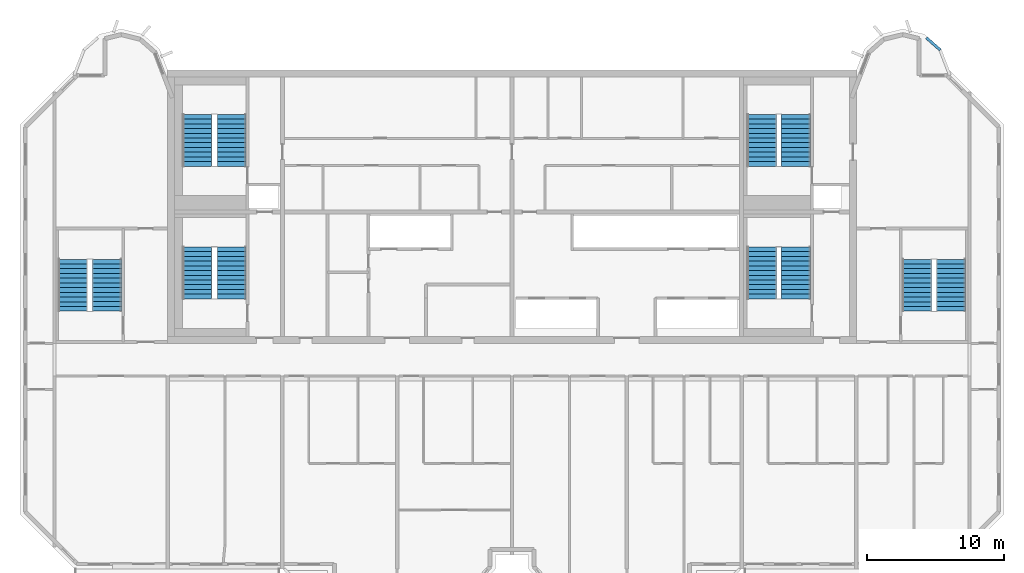
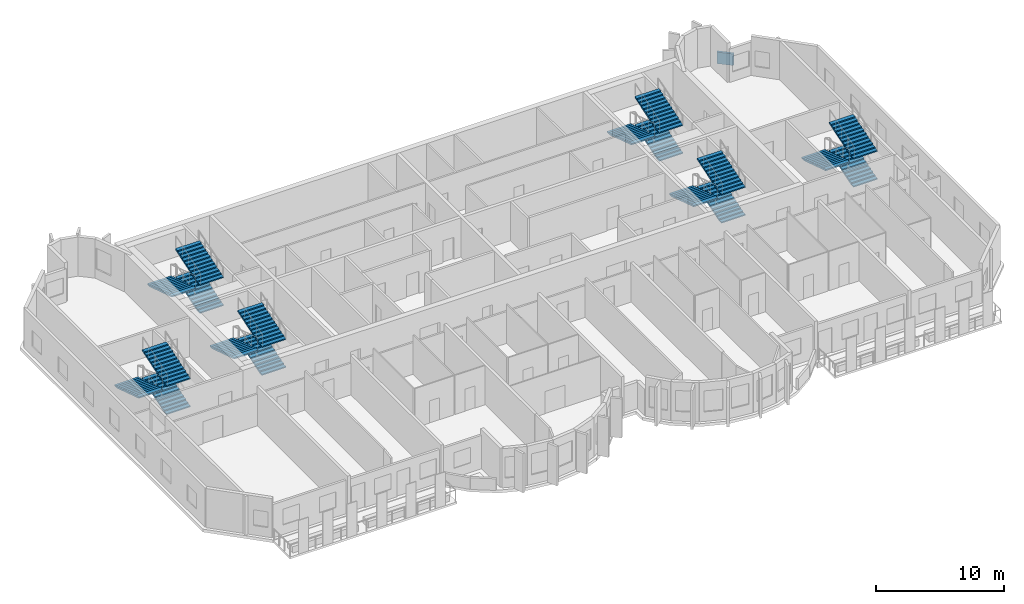
# One storey, part 9 of 12: 18 stair flights, 1 wall, 6 elements without a shape of their own.
"""IFC4 building model written with IfcOpenShell, lengths in metres."""

from ifc_helpers import new_model, si_unit, direction, frame, frame_2d, origin, place, context, subcontext, project, spatial, polyline, rectangle, outline, extrude, source, transform, mapped, material, layer, layer_set, type_object, element, aggregate, save


model = new_model("IFC4")

# Units and contexts
model_context = context("Model", 3, precision=1e-05, world=origin(), true_north=direction((0.0, 1.0)))
body_context = subcontext(model_context, "Body", "Model", "MODEL_VIEW")
ifc_project = project(units=[si_unit("LENGTHUNIT", "METRE"), si_unit("AREAUNIT", "SQUARE_METRE"), si_unit("VOLUMEUNIT", "CUBIC_METRE"), si_unit("PLANEANGLEUNIT", "RADIAN"), si_unit("MASSUNIT", "GRAM", prefix="KILO")], contexts=[model_context])

# Site, building, storey
site_placement = place(None, origin())
site = spatial("IfcSite", under=ifc_project, at=site_placement, CompositionType="ELEMENT")
building_placement = place(site_placement, origin())
building = spatial("IfcBuilding", under=site, at=building_placement, Name="Vanashikhar Sky Hotel", CompositionType="ELEMENT")
storey_placement = place(building_placement, frame((0.0, 0.0, 313.699951171875)))
storey = spatial("IfcBuildingStorey", under=building, at=storey_placement, Name="L75", CompositionType="ELEMENT", Elevation=313.699951171875)

# Wall
ifc_material_1 = material(Name="Concrete M50", Category="concrete")
ifc_layer = layer(ifc_material_1, 0.199951171875)
ifc_layer_set = layer_set([ifc_layer], Name="Parapet 200")
wall_type = type_object("IfcWallType", Name="Parapet 200", PredefinedType="PARAPET", material=ifc_layer_set)
shared_shape_1 = source(origin(), body_context, "Body", "SweptSolid", [
    extrude(rectangle(XDim=1.334716796875, YDim=0.199951171875, at=frame_2d((0.66748046875, 0.0))), origin(), (0.0, 0.0, 1.0), 1.10009765625),
])
wall_placement = place(storey_placement, frame((80.72802734375, 44.3505859375, -0.050048828125), z_axis=(0.0, 0.0, 1.0), x_axis=(0.749645640847, -0.661839416444, 0.0)))
element("IfcWall", 1, at=wall_placement, inside=storey, type_object=wall_type, Name="Roof parapet", PredefinedType="PARAPET", context=body_context, shape_type="MappedRepresentation", body=[
    mapped(shared_shape_1, transform((0.0, 0.0, 0.0), scale=1.0)),
])

# Stair, stair flights
ifc_material_2 = material(Name="Concrete M40", Category="concrete")
stair_type = type_object("IfcStairType", Name="Exit stair 2150", PredefinedType="DOUBLE_RETURN_STAIR", material=ifc_material_2)
stair_1_placement = place(storey_placement, origin())
stair_1 = element("IfcStair", 2, at=stair_1_placement, inside=storey, type_object=stair_type, Name="L75 Exit stair 1", PredefinedType="DOUBLE_RETURN_STAIR")
stair_flight_type = type_object("IfcStairFlightType", Name="Stair flight 2150", PredefinedType="STRAIGHT", material=ifc_material_2)
shared_shape_2 = source(origin(), body_context, "Body", "SweptSolid", [
    extrude(outline(polyline([(0.0, 0.0), (0.0, 0.111083984375), (0.345458984375, 0.111083984375), (0.345458984375, 0.22216796875), (0.69091796875, 0.22216796875), (0.69091796875, 0.333251953125), (1.036376953125, 0.333251953125), (1.036376953125, 0.4443359375), (1.3818359375, 0.4443359375), (1.3818359375, 0.5556640625), (1.727294921875, 0.5556640625), (1.727294921875, 0.666748046875), (2.07275390625, 0.666748046875), (2.07275390625, 0.77783203125), (2.418212890625, 0.77783203125), (2.418212890625, 0.888916015625), (2.763671875, 0.888916015625), (2.763671875, 1.0), (3.109130859375, 1.0), (3.109130859375, 1.111083984375), (3.45458984375, 1.111083984375), (3.45458984375, 1.22216796875), (3.800048828125, 1.22216796875), (3.800048828125, 1.333251953125), (3.800048828125, 1.095947265625), (0.392333984375, 0.0), (0.0, 0.0)])), frame((0.0, 1.074951171875, 0.0), z_axis=(0.0, -1.0, 0.0), x_axis=(1.0, 0.0, 0.0)), (0.0, 0.0, 1.0), 2.14990234375),
])
stair_flight_1_placement = place(storey_placement, frame((29.875, 25.25, 0.0), z_axis=(0.0, 0.0, 1.0), x_axis=(0.0, 1.0, 0.0)))
stair_flight_1 = element("IfcStairFlight", 3, at=stair_flight_1_placement, type_object=stair_flight_type, Name="ST-C1 flight 1", NumberOfRisers=12, NumberOfTreads=11, PredefinedType="STRAIGHT", RiserHeight=0.111111111, TreadLength=0.345454545, context=body_context, shape_type="MappedRepresentation", body=[
    mapped(shared_shape_2, transform((0.0, 0.0, 0.0), scale=1.0)),
])
stair_flight_2_placement = place(storey_placement, frame((27.375, 29.050048828125, 1.33349609375), z_axis=(0.0, 0.0, 1.0), x_axis=(0.0, -1.0, 0.0)))
stair_flight_2 = element("IfcStairFlight", 4, at=stair_flight_2_placement, type_object=stair_flight_type, Name="ST-C1 flight 2", NumberOfRisers=12, NumberOfTreads=11, PredefinedType="STRAIGHT", RiserHeight=0.111111111, TreadLength=0.345454545, context=body_context, shape_type="MappedRepresentation", body=[
    mapped(shared_shape_2, transform((0.0, 0.0, 0.0), scale=1.0)),
])
stair_flight_3_placement = place(storey_placement, frame((29.875, 25.25, 2.666748046875), z_axis=(0.0, 0.0, 1.0), x_axis=(0.0, 1.0, 0.0)))
stair_flight_3 = element("IfcStairFlight", 5, at=stair_flight_3_placement, type_object=stair_flight_type, Name="ST-C1 flight 3", NumberOfRisers=12, NumberOfTreads=11, PredefinedType="STRAIGHT", RiserHeight=0.111111111, TreadLength=0.345454545, context=body_context, shape_type="MappedRepresentation", body=[
    mapped(shared_shape_2, transform((0.0, 0.0, 0.0), scale=1.0)),
])
aggregate(stair_1, [stair_flight_1, stair_flight_2, stair_flight_3])

stair_2_placement = place(storey_placement, origin())
stair_2 = element("IfcStair", 6, at=stair_2_placement, inside=storey, type_object=stair_type, Name="L75 Exit stair 2", PredefinedType="DOUBLE_RETURN_STAIR")
stair_flight_4_placement = place(storey_placement, frame((71.175048828125, 25.25, 0.0), z_axis=(0.0, 0.0, 1.0), x_axis=(0.0, 1.0, 0.0)))
stair_flight_4 = element("IfcStairFlight", 7, at=stair_flight_4_placement, type_object=stair_flight_type, Name="ST-C2 flight 1", NumberOfRisers=12, NumberOfTreads=11, PredefinedType="STRAIGHT", RiserHeight=0.111111111, TreadLength=0.345454545, context=body_context, shape_type="MappedRepresentation", body=[
    mapped(shared_shape_2, transform((0.0, 0.0, 0.0), scale=1.0)),
])
stair_flight_5_placement = place(storey_placement, frame((68.675048828125, 29.050048828125, 1.33349609375), z_axis=(0.0, 0.0, 1.0), x_axis=(0.0, -1.0, 0.0)))
stair_flight_5 = element("IfcStairFlight", 8, at=stair_flight_5_placement, type_object=stair_flight_type, Name="ST-C2 flight 2", NumberOfRisers=12, NumberOfTreads=11, PredefinedType="STRAIGHT", RiserHeight=0.111111111, TreadLength=0.345454545, context=body_context, shape_type="MappedRepresentation", body=[
    mapped(shared_shape_2, transform((0.0, 0.0, 0.0), scale=1.0)),
])
stair_flight_6_placement = place(storey_placement, frame((71.175048828125, 25.25, 2.666748046875), z_axis=(0.0, 0.0, 1.0), x_axis=(0.0, 1.0, 0.0)))
stair_flight_6 = element("IfcStairFlight", 9, at=stair_flight_6_placement, type_object=stair_flight_type, Name="ST-C2 flight 3", NumberOfRisers=12, NumberOfTreads=11, PredefinedType="STRAIGHT", RiserHeight=0.111111111, TreadLength=0.345454545, context=body_context, shape_type="MappedRepresentation", body=[
    mapped(shared_shape_2, transform((0.0, 0.0, 0.0), scale=1.0)),
])
aggregate(stair_2, [stair_flight_4, stair_flight_5, stair_flight_6])

stair_3_placement = place(storey_placement, origin())
stair_3 = element("IfcStair", 10, at=stair_3_placement, inside=storey, type_object=stair_type, Name="L75 Exit stair 3", PredefinedType="DOUBLE_RETURN_STAIR")
stair_flight_7_placement = place(storey_placement, frame((20.77490234375, 24.35009765625, 0.0), z_axis=(0.0, 0.0, 1.0), x_axis=(0.0, 1.0, 0.0)))
stair_flight_7 = element("IfcStairFlight", 11, at=stair_flight_7_placement, type_object=stair_flight_type, Name="ST-W flight 1", NumberOfRisers=12, NumberOfTreads=11, PredefinedType="STRAIGHT", RiserHeight=0.111111111, TreadLength=0.345454545, context=body_context, shape_type="MappedRepresentation", body=[
    mapped(shared_shape_2, transform((0.0, 0.0, 0.0), scale=1.0)),
])
stair_flight_8_placement = place(storey_placement, frame((18.27490234375, 28.14990234375, 1.33349609375), z_axis=(0.0, 0.0, 1.0), x_axis=(0.0, -1.0, 0.0)))
stair_flight_8 = element("IfcStairFlight", 12, at=stair_flight_8_placement, type_object=stair_flight_type, Name="ST-W flight 2", NumberOfRisers=12, NumberOfTreads=11, PredefinedType="STRAIGHT", RiserHeight=0.111111111, TreadLength=0.345454545, context=body_context, shape_type="MappedRepresentation", body=[
    mapped(shared_shape_2, transform((0.0, 0.0, 0.0), scale=1.0)),
])
stair_flight_9_placement = place(storey_placement, frame((20.77490234375, 24.35009765625, 2.666748046875), z_axis=(0.0, 0.0, 1.0), x_axis=(0.0, 1.0, 0.0)))
stair_flight_9 = element("IfcStairFlight", 13, at=stair_flight_9_placement, type_object=stair_flight_type, Name="ST-W flight 3", NumberOfRisers=12, NumberOfTreads=11, PredefinedType="STRAIGHT", RiserHeight=0.111111111, TreadLength=0.345454545, context=body_context, shape_type="MappedRepresentation", body=[
    mapped(shared_shape_2, transform((0.0, 0.0, 0.0), scale=1.0)),
])
aggregate(stair_3, [stair_flight_7, stair_flight_8, stair_flight_9])

stair_4_placement = place(storey_placement, origin())
stair_4 = element("IfcStair", 14, at=stair_4_placement, inside=storey, type_object=stair_type, Name="L75 Exit stair 4", PredefinedType="DOUBLE_RETURN_STAIR")
stair_flight_10_placement = place(storey_placement, frame((82.52490234375, 24.35009765625, 0.0), z_axis=(0.0, 0.0, 1.0), x_axis=(0.0, 1.0, 0.0)))
stair_flight_10 = element("IfcStairFlight", 15, at=stair_flight_10_placement, type_object=stair_flight_type, Name="ST-E flight 1", NumberOfRisers=12, NumberOfTreads=11, PredefinedType="STRAIGHT", RiserHeight=0.111111111, TreadLength=0.345454545, context=body_context, shape_type="MappedRepresentation", body=[
    mapped(shared_shape_2, transform((0.0, 0.0, 0.0), scale=1.0)),
])
stair_flight_11_placement = place(storey_placement, frame((80.02490234375, 28.14990234375, 1.33349609375), z_axis=(0.0, 0.0, 1.0), x_axis=(0.0, -1.0, 0.0)))
stair_flight_11 = element("IfcStairFlight", 16, at=stair_flight_11_placement, type_object=stair_flight_type, Name="ST-E flight 2", NumberOfRisers=12, NumberOfTreads=11, PredefinedType="STRAIGHT", RiserHeight=0.111111111, TreadLength=0.345454545, context=body_context, shape_type="MappedRepresentation", body=[
    mapped(shared_shape_2, transform((0.0, 0.0, 0.0), scale=1.0)),
])
stair_flight_12_placement = place(storey_placement, frame((82.52490234375, 24.35009765625, 2.666748046875), z_axis=(0.0, 0.0, 1.0), x_axis=(0.0, 1.0, 0.0)))
stair_flight_12 = element("IfcStairFlight", 17, at=stair_flight_12_placement, type_object=stair_flight_type, Name="ST-E flight 3", NumberOfRisers=12, NumberOfTreads=11, PredefinedType="STRAIGHT", RiserHeight=0.111111111, TreadLength=0.345454545, context=body_context, shape_type="MappedRepresentation", body=[
    mapped(shared_shape_2, transform((0.0, 0.0, 0.0), scale=1.0)),
])
aggregate(stair_4, [stair_flight_10, stair_flight_11, stair_flight_12])

stair_5_placement = place(storey_placement, origin())
stair_5 = element("IfcStair", 18, at=stair_5_placement, inside=storey, type_object=stair_type, Name="L75 Exit stair 5", PredefinedType="DOUBLE_RETURN_STAIR")
stair_flight_13_placement = place(storey_placement, frame((29.875, 34.949951171875, 0.0), z_axis=(0.0, 0.0, 1.0), x_axis=(0.0, 1.0, 0.0)))
stair_flight_13 = element("IfcStairFlight", 19, at=stair_flight_13_placement, type_object=stair_flight_type, Name="ST-C3 flight 1", NumberOfRisers=12, NumberOfTreads=11, PredefinedType="STRAIGHT", RiserHeight=0.111111111, TreadLength=0.345454545, context=body_context, shape_type="MappedRepresentation", body=[
    mapped(shared_shape_2, transform((0.0, 0.0, 0.0), scale=1.0)),
])
stair_flight_14_placement = place(storey_placement, frame((27.375, 38.75, 1.33349609375), z_axis=(0.0, 0.0, 1.0), x_axis=(0.0, -1.0, 0.0)))
stair_flight_14 = element("IfcStairFlight", 20, at=stair_flight_14_placement, type_object=stair_flight_type, Name="ST-C3 flight 2", NumberOfRisers=12, NumberOfTreads=11, PredefinedType="STRAIGHT", RiserHeight=0.111111111, TreadLength=0.345454545, context=body_context, shape_type="MappedRepresentation", body=[
    mapped(shared_shape_2, transform((0.0, 0.0, 0.0), scale=1.0)),
])
stair_flight_15_placement = place(storey_placement, frame((29.875, 34.949951171875, 2.666748046875), z_axis=(0.0, 0.0, 1.0), x_axis=(0.0, 1.0, 0.0)))
stair_flight_15 = element("IfcStairFlight", 21, at=stair_flight_15_placement, type_object=stair_flight_type, Name="ST-C3 flight 3", NumberOfRisers=12, NumberOfTreads=11, PredefinedType="STRAIGHT", RiserHeight=0.111111111, TreadLength=0.345454545, context=body_context, shape_type="MappedRepresentation", body=[
    mapped(shared_shape_2, transform((0.0, 0.0, 0.0), scale=1.0)),
])
aggregate(stair_5, [stair_flight_13, stair_flight_14, stair_flight_15])

stair_6_placement = place(storey_placement, origin())
stair_6 = element("IfcStair", 22, at=stair_6_placement, inside=storey, type_object=stair_type, Name="L75 Exit stair 6", PredefinedType="DOUBLE_RETURN_STAIR")
stair_flight_16_placement = place(storey_placement, frame((71.175048828125, 34.949951171875, 0.0), z_axis=(0.0, 0.0, 1.0), x_axis=(0.0, 1.0, 0.0)))
stair_flight_16 = element("IfcStairFlight", 23, at=stair_flight_16_placement, type_object=stair_flight_type, Name="ST-C4 flight 1", NumberOfRisers=12, NumberOfTreads=11, PredefinedType="STRAIGHT", RiserHeight=0.111111111, TreadLength=0.345454545, context=body_context, shape_type="MappedRepresentation", body=[
    mapped(shared_shape_2, transform((0.0, 0.0, 0.0), scale=1.0)),
])
stair_flight_17_placement = place(storey_placement, frame((68.675048828125, 38.75, 1.33349609375), z_axis=(0.0, 0.0, 1.0), x_axis=(0.0, -1.0, 0.0)))
stair_flight_17 = element("IfcStairFlight", 24, at=stair_flight_17_placement, type_object=stair_flight_type, Name="ST-C4 flight 2", NumberOfRisers=12, NumberOfTreads=11, PredefinedType="STRAIGHT", RiserHeight=0.111111111, TreadLength=0.345454545, context=body_context, shape_type="MappedRepresentation", body=[
    mapped(shared_shape_2, transform((0.0, 0.0, 0.0), scale=1.0)),
])
stair_flight_18_placement = place(storey_placement, frame((71.175048828125, 34.949951171875, 2.666748046875), z_axis=(0.0, 0.0, 1.0), x_axis=(0.0, 1.0, 0.0)))
stair_flight_18 = element("IfcStairFlight", 25, at=stair_flight_18_placement, type_object=stair_flight_type, Name="ST-C4 flight 3", NumberOfRisers=12, NumberOfTreads=11, PredefinedType="STRAIGHT", RiserHeight=0.111111111, TreadLength=0.345454545, context=body_context, shape_type="MappedRepresentation", body=[
    mapped(shared_shape_2, transform((0.0, 0.0, 0.0), scale=1.0)),
])
aggregate(stair_6, [stair_flight_16, stair_flight_17, stair_flight_18])

save(model, "model.ifc")
